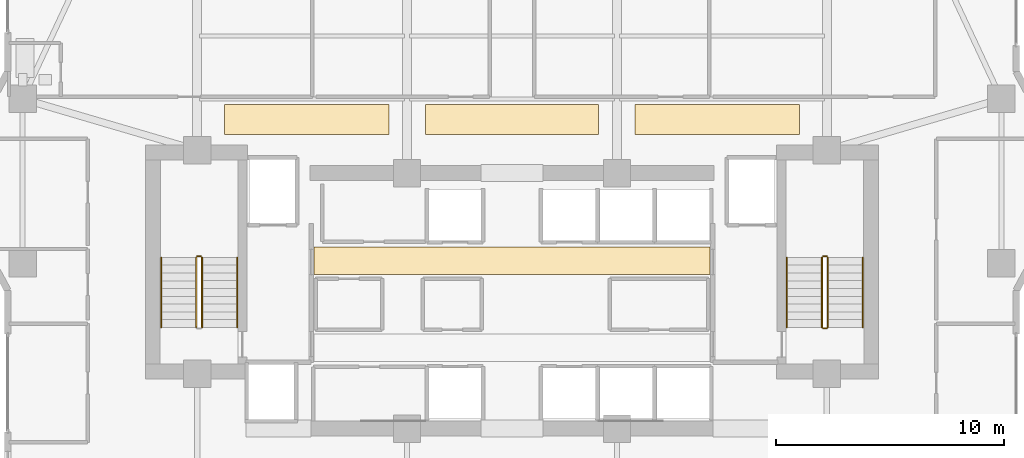
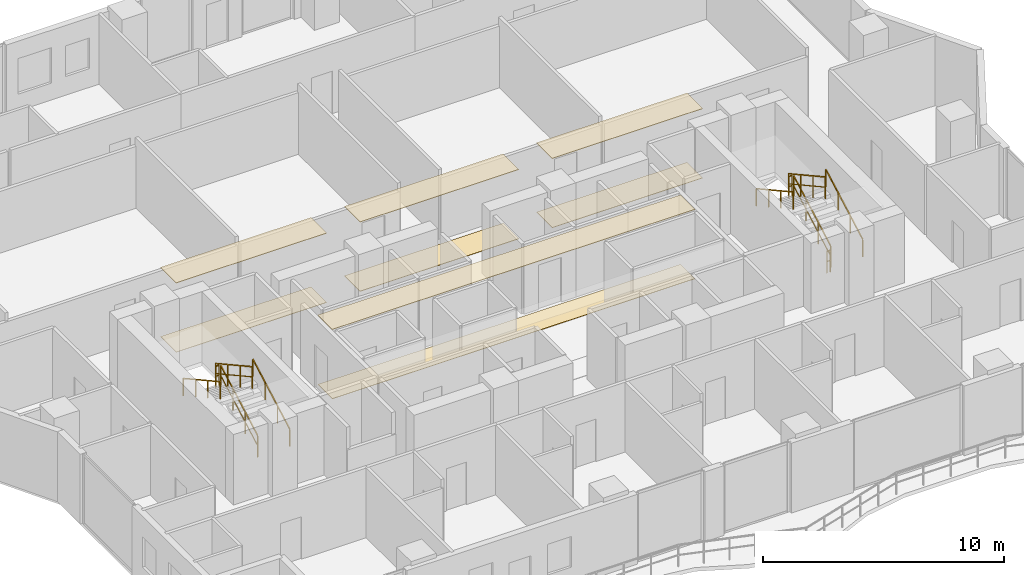
# One storey, part 30 of 32: 11 railings, 8 coverings.
"""IFC4 building model written with IfcOpenShell, lengths in metres."""

from ifc_helpers import new_model, si_unit, direction, frame, origin, origin_2d, place, context, subcontext, project, spatial, polyline, rectangle, outline, extrude, material, layer, layer_set, type_object, element, save


model = new_model("IFC4")

# Units and contexts
model_context = context("Model", 3, precision=1e-05, world=origin(), true_north=direction((0.0, 1.0)))
body_context = subcontext(model_context, "Body", "Model", "MODEL_VIEW")
ifc_project = project(units=[si_unit("LENGTHUNIT", "METRE"), si_unit("AREAUNIT", "SQUARE_METRE"), si_unit("VOLUMEUNIT", "CUBIC_METRE"), si_unit("PLANEANGLEUNIT", "RADIAN"), si_unit("MASSUNIT", "GRAM", prefix="KILO")], contexts=[model_context])

# Site, building, storey
site_placement = place(None, origin())
site = spatial("IfcSite", under=ifc_project, at=site_placement, CompositionType="ELEMENT")
building_placement = place(site_placement, origin())
building = spatial("IfcBuilding", under=site, at=building_placement, Name="Zuhayl Quay Hotel", CompositionType="ELEMENT")
storey_placement = place(building_placement, frame((0.0, 0.0, 196.14990234375)))
storey = spatial("IfcBuildingStorey", under=building, at=storey_placement, Name="L49", CompositionType="ELEMENT", Elevation=196.14990234375)

# Coverings
ifc_material_1 = material(Name="Acoustic Mineral-Fibre Gypsum Board")
ifc_layer_1 = layer(ifc_material_1, 0.02490234375, Name="Acoustic Mineral-Fibre Gypsum Board")
ifc_layer_set_1 = layer_set([ifc_layer_1], Name="Acoustic Mineral-Fibre Gypsum Board")
covering_type_1 = type_object("IfcCoveringType", Name="CV_CEIL_ACOUSTIC", PredefinedType="CEILING", material=ifc_layer_set_1)
covering_1_placement = place(storey_placement, frame((0.0, 0.0, 3.505126953125)))
element("IfcCovering", 1, at=covering_1_placement, inside=storey, type_object=covering_type_1, Name="L49 Suspended Acoustic Lobby Ceiling N", PredefinedType="CEILING", context=body_context, shape_type="SweptSolid", body=[
    extrude(outline(polyline([(-8.679931640625, 8.89990234375), (8.679931640625, 8.89990234375), (8.679931640625, 10.10009765625), (-8.679931640625, 10.10009765625), (-8.679931640625, 8.89990234375)])), origin(), (0.0, 0.0, 1.0), 0.02490234375),
])
covering_2_placement = place(storey_placement, frame((0.0, 0.0, 3.505126953125)))
element("IfcCovering", 2, at=covering_2_placement, inside=storey, type_object=covering_type_1, Name="L49 Guest Corridor Acoustic Ceiling CW", PredefinedType="CEILING", context=body_context, shape_type="SweptSolid", body=[
    extrude(outline(polyline([(-12.60009765625, 15.050048828125), (-5.39990234375, 15.050048828125), (-5.39990234375, 16.35009765625), (-12.60009765625, 16.35009765625), (-12.60009765625, 15.050048828125)])), origin(), (0.0, 0.0, 1.0), 0.02490234375),
])
covering_3_placement = place(storey_placement, frame((0.0, 0.0, 3.505126953125)))
element("IfcCovering", 3, at=covering_3_placement, inside=storey, type_object=covering_type_1, Name="L49 Guest Corridor Acoustic Ceiling CC", PredefinedType="CEILING", context=body_context, shape_type="SweptSolid", body=[
    extrude(outline(polyline([(-3.800048828125, 15.050048828125), (3.800048828125, 15.050048828125), (3.800048828125, 16.35009765625), (-3.800048828125, 16.35009765625), (-3.800048828125, 15.050048828125)])), origin(), (0.0, 0.0, 1.0), 0.02490234375),
])
covering_4_placement = place(storey_placement, frame((0.0, 0.0, 3.505126953125)))
element("IfcCovering", 4, at=covering_4_placement, inside=storey, type_object=covering_type_1, Name="L49 Guest Corridor Acoustic Ceiling CE", PredefinedType="CEILING", context=body_context, shape_type="SweptSolid", body=[
    extrude(outline(polyline([(5.39990234375, 15.050048828125), (12.60009765625, 15.050048828125), (12.60009765625, 16.35009765625), (5.39990234375, 16.35009765625), (5.39990234375, 15.050048828125)])), origin(), (0.0, 0.0, 1.0), 0.02490234375),
])
ifc_material_2 = material(Name="Polished Limestone Terrazzo", Category="masonry")
ifc_layer_2 = layer(ifc_material_2, 0.02001953125, Name="Polished Limestone Terrazzo", Category="masonry")
ifc_layer_set_2 = layer_set([ifc_layer_2], Name="Polished Limestone Terrazzo")
covering_type_2 = type_object("IfcCoveringType", Name="CV_FLOOR_TERRAZZO", PredefinedType="FLOORING", material=ifc_layer_set_2)
covering_5_placement = place(storey_placement, origin())
element("IfcCovering", 5, at=covering_5_placement, inside=storey, type_object=covering_type_2, Name="L49 Honed Limestone Terrazzo Lobby Flooring N", PredefinedType="FLOORING", context=body_context, shape_type="SweptSolid", body=[
    extrude(outline(polyline([(-8.679931640625, 8.89990234375), (8.679931640625, 8.89990234375), (8.679931640625, 10.10009765625), (-8.679931640625, 10.10009765625), (-8.679931640625, 8.89990234375)])), origin(), (0.0, 0.0, 1.0), 0.02001953125),
])
covering_6_placement = place(storey_placement, origin())
element("IfcCovering", 6, at=covering_6_placement, inside=storey, type_object=covering_type_2, Name="L49 Guest Corridor Terrazzo Runner CW", PredefinedType="FLOORING", context=body_context, shape_type="SweptSolid", body=[
    extrude(outline(polyline([(-12.60009765625, 15.050048828125), (-5.39990234375, 15.050048828125), (-5.39990234375, 16.35009765625), (-12.60009765625, 16.35009765625), (-12.60009765625, 15.050048828125)])), origin(), (0.0, 0.0, 1.0), 0.02001953125),
])
covering_7_placement = place(storey_placement, origin())
element("IfcCovering", 7, at=covering_7_placement, inside=storey, type_object=covering_type_2, Name="L49 Guest Corridor Terrazzo Runner CC", PredefinedType="FLOORING", context=body_context, shape_type="SweptSolid", body=[
    extrude(outline(polyline([(-3.800048828125, 15.050048828125), (3.800048828125, 15.050048828125), (3.800048828125, 16.35009765625), (-3.800048828125, 16.35009765625), (-3.800048828125, 15.050048828125)])), origin(), (0.0, 0.0, 1.0), 0.02001953125),
])
covering_8_placement = place(storey_placement, origin())
element("IfcCovering", 8, at=covering_8_placement, inside=storey, type_object=covering_type_2, Name="L49 Guest Corridor Terrazzo Runner CE", PredefinedType="FLOORING", context=body_context, shape_type="SweptSolid", body=[
    extrude(outline(polyline([(5.39990234375, 15.050048828125), (12.60009765625, 15.050048828125), (12.60009765625, 16.35009765625), (5.39990234375, 16.35009765625), (5.39990234375, 15.050048828125)])), origin(), (0.0, 0.0, 1.0), 0.02001953125),
])

# Railings
ifc_material_3 = material(Name="Steel ASTM A992 Grade 50", Category="steel")
railing_type_1 = type_object("IfcRailingType", Name="RL_GUARD_1100", PredefinedType="GUARDRAIL", material=ifc_material_3)
railing_1_placement = place(storey_placement, frame((-13.590087890625, 6.590087890625, 0.1875)))
element("IfcRailing", 9, at=railing_1_placement, inside=storey, type_object=railing_type_1, Name="L49 ST1 stair guard 1", PredefinedType="GUARDRAIL", context=body_context, shape_type="SweptSolid", body=[
    extrude(rectangle(XDim=0.048095703125, YDim=0.048095703125, at=origin_2d()), frame((0.0, 0.0, 1.09619140625), z_axis=(0.0, 0.875659195171, 0.482929574485), x_axis=(-1.0, 0.0, 0.0)), (0.0, 0.0, 1.0), 3.494384765625),
    extrude(rectangle(XDim=0.0361328125, YDim=0.0361328125, at=origin_2d()), frame((0.0, 0.0, 0.58251953125), z_axis=(0.0, 0.875659195171, 0.482929574485), x_axis=(-1.0, 0.0, 0.0)), (0.0, 0.0, 1.0), 3.494384765625),
    extrude(rectangle(XDim=0.0419921875, YDim=0.0419921875, at=origin_2d()), origin(), (0.0, 0.0, 1.0), 1.072021484375),
    extrude(rectangle(XDim=0.0419921875, YDim=0.0419921875, at=origin_2d()), frame((0.0, 1.02001953125, 0.5625)), (0.0, 0.0, 1.0), 1.072021484375),
    extrude(rectangle(XDim=0.0419921875, YDim=0.0419921875, at=origin_2d()), frame((0.0, 2.039794921875, 1.125)), (0.0, 0.0, 1.0), 1.072021484375),
    extrude(rectangle(XDim=0.0419921875, YDim=0.0419921875, at=origin_2d()), frame((0.0, 3.059814453125, 1.6875)), (0.0, 0.0, 1.0), 1.072021484375),
])
railing_2_placement = place(storey_placement, frame((-13.639892578125, 9.699951171875, 1.875)))
element("IfcRailing", 10, at=railing_2_placement, inside=storey, type_object=railing_type_1, Name="L49 ST1 stair guard 2", PredefinedType="GUARDRAIL", context=body_context, shape_type="SweptSolid", body=[
    extrude(rectangle(XDim=0.048095703125, YDim=0.048095703125, at=origin_2d()), frame((0.0, 0.0, 1.09619140625), z_axis=(-1.0, 0.0, 0.0), x_axis=(0.0, -1.0, 0.0)), (0.0, 0.0, 1.0), 0.150146484375),
    extrude(rectangle(XDim=0.0361328125, YDim=0.0361328125, at=origin_2d()), frame((0.0, 0.0, 0.58251953125), z_axis=(-1.0, 0.0, 0.0), x_axis=(0.0, -1.0, 0.0)), (0.0, 0.0, 1.0), 0.150146484375),
    extrude(rectangle(XDim=0.0419921875, YDim=0.0419921875, at=origin_2d()), origin(), (0.0, 0.0, 1.0), 1.072021484375),
    extrude(rectangle(XDim=0.0419921875, YDim=0.0419921875, at=origin_2d()), frame((-0.150146484375, 0.0, 0.0)), (0.0, 0.0, 1.0), 1.072021484375),
])
railing_3_placement = place(storey_placement, frame((-13.840087890625, 9.64990234375, 2.0625)))
element("IfcRailing", 11, at=railing_3_placement, inside=storey, type_object=railing_type_1, Name="L49 ST1 stair guard 3", PredefinedType="GUARDRAIL", context=body_context, shape_type="SweptSolid", body=[
    extrude(rectangle(XDim=0.048095703125, YDim=0.048095703125, at=origin_2d()), frame((0.0, 0.0, 1.09619140625), z_axis=(0.0, -0.875659195171, 0.482929574485), x_axis=(1.0, 0.0, 0.0)), (0.0, 0.0, 1.0), 3.494384765625),
    extrude(rectangle(XDim=0.0361328125, YDim=0.0361328125, at=origin_2d()), frame((0.0, 0.0, 0.58251953125), z_axis=(0.0, -0.875659195171, 0.482929574485), x_axis=(1.0, 0.0, 0.0)), (0.0, 0.0, 1.0), 3.494384765625),
    extrude(rectangle(XDim=0.0419921875, YDim=0.0419921875, at=origin_2d()), origin(), (0.0, 0.0, 1.0), 1.072021484375),
    extrude(rectangle(XDim=0.0419921875, YDim=0.0419921875, at=origin_2d()), frame((0.0, -1.02001953125, 0.5625)), (0.0, 0.0, 1.0), 1.072021484375),
    extrude(rectangle(XDim=0.0419921875, YDim=0.0419921875, at=origin_2d()), frame((0.0, -2.039794921875, 1.125)), (0.0, 0.0, 1.0), 1.072021484375),
    extrude(rectangle(XDim=0.0419921875, YDim=0.0419921875, at=origin_2d()), frame((0.0, -3.059814453125, 1.6875)), (0.0, 0.0, 1.0), 1.072021484375),
])
railing_4_placement = place(storey_placement, frame((13.840087890625, 6.590087890625, 0.1875)))
element("IfcRailing", 12, at=railing_4_placement, inside=storey, type_object=railing_type_1, Name="L49 ST2 stair guard 1", PredefinedType="GUARDRAIL", context=body_context, shape_type="SweptSolid", body=[
    extrude(rectangle(XDim=0.048095703125, YDim=0.048095703125, at=origin_2d()), frame((0.0, 0.0, 1.09619140625), z_axis=(0.0, 0.875659195171, 0.482929574485), x_axis=(-1.0, 0.0, 0.0)), (0.0, 0.0, 1.0), 3.494384765625),
    extrude(rectangle(XDim=0.0361328125, YDim=0.0361328125, at=origin_2d()), frame((0.0, 0.0, 0.58251953125), z_axis=(0.0, 0.875659195171, 0.482929574485), x_axis=(-1.0, 0.0, 0.0)), (0.0, 0.0, 1.0), 3.494384765625),
    extrude(rectangle(XDim=0.0419921875, YDim=0.0419921875, at=origin_2d()), origin(), (0.0, 0.0, 1.0), 1.072021484375),
    extrude(rectangle(XDim=0.0419921875, YDim=0.0419921875, at=origin_2d()), frame((0.0, 1.02001953125, 0.5625)), (0.0, 0.0, 1.0), 1.072021484375),
    extrude(rectangle(XDim=0.0419921875, YDim=0.0419921875, at=origin_2d()), frame((0.0, 2.039794921875, 1.125)), (0.0, 0.0, 1.0), 1.072021484375),
    extrude(rectangle(XDim=0.0419921875, YDim=0.0419921875, at=origin_2d()), frame((0.0, 3.059814453125, 1.6875)), (0.0, 0.0, 1.0), 1.072021484375),
])
railing_5_placement = place(storey_placement, frame((13.7900390625, 9.699951171875, 1.875)))
element("IfcRailing", 13, at=railing_5_placement, inside=storey, type_object=railing_type_1, Name="L49 ST2 stair guard 2", PredefinedType="GUARDRAIL", context=body_context, shape_type="SweptSolid", body=[
    extrude(rectangle(XDim=0.048095703125, YDim=0.048095703125, at=origin_2d()), frame((0.0, 0.0, 1.09619140625), z_axis=(-1.0, 0.0, 0.0), x_axis=(0.0, -1.0, 0.0)), (0.0, 0.0, 1.0), 0.150146484375),
    extrude(rectangle(XDim=0.0361328125, YDim=0.0361328125, at=origin_2d()), frame((0.0, 0.0, 0.58251953125), z_axis=(-1.0, 0.0, 0.0), x_axis=(0.0, -1.0, 0.0)), (0.0, 0.0, 1.0), 0.150146484375),
    extrude(rectangle(XDim=0.0419921875, YDim=0.0419921875, at=origin_2d()), origin(), (0.0, 0.0, 1.0), 1.072021484375),
    extrude(rectangle(XDim=0.0419921875, YDim=0.0419921875, at=origin_2d()), frame((-0.150146484375, 0.0, 0.0)), (0.0, 0.0, 1.0), 1.072021484375),
])
railing_6_placement = place(storey_placement, frame((13.590087890625, 9.64990234375, 2.0625)))
element("IfcRailing", 14, at=railing_6_placement, inside=storey, type_object=railing_type_1, Name="L49 ST2 stair guard 3", PredefinedType="GUARDRAIL", context=body_context, shape_type="SweptSolid", body=[
    extrude(rectangle(XDim=0.048095703125, YDim=0.048095703125, at=origin_2d()), frame((0.0, 0.0, 1.09619140625), z_axis=(0.0, -0.875659195171, 0.482929574485), x_axis=(1.0, 0.0, 0.0)), (0.0, 0.0, 1.0), 3.494384765625),
    extrude(rectangle(XDim=0.0361328125, YDim=0.0361328125, at=origin_2d()), frame((0.0, 0.0, 0.58251953125), z_axis=(0.0, -0.875659195171, 0.482929574485), x_axis=(1.0, 0.0, 0.0)), (0.0, 0.0, 1.0), 3.494384765625),
    extrude(rectangle(XDim=0.0419921875, YDim=0.0419921875, at=origin_2d()), origin(), (0.0, 0.0, 1.0), 1.072021484375),
    extrude(rectangle(XDim=0.0419921875, YDim=0.0419921875, at=origin_2d()), frame((0.0, -1.02001953125, 0.5625)), (0.0, 0.0, 1.0), 1.072021484375),
    extrude(rectangle(XDim=0.0419921875, YDim=0.0419921875, at=origin_2d()), frame((0.0, -2.039794921875, 1.125)), (0.0, 0.0, 1.0), 1.072021484375),
    extrude(rectangle(XDim=0.0419921875, YDim=0.0419921875, at=origin_2d()), frame((0.0, -3.059814453125, 1.6875)), (0.0, 0.0, 1.0), 1.072021484375),
])
railing_7_placement = place(storey_placement, frame((13.7900390625, 6.5400390625, 0.0)))
element("IfcRailing", 15, at=railing_7_placement, inside=storey, type_object=railing_type_1, Name="L49 ST2 stair guard 4", PredefinedType="GUARDRAIL", context=body_context, shape_type="SweptSolid", body=[
    extrude(rectangle(XDim=0.048095703125, YDim=0.048095703125, at=origin_2d()), frame((0.0, 0.0, 1.09619140625), z_axis=(-1.0, 0.0, 0.0), x_axis=(0.0, -1.0, 0.0)), (0.0, 0.0, 1.0), 0.150146484375),
    extrude(rectangle(XDim=0.0361328125, YDim=0.0361328125, at=origin_2d()), frame((0.0, 0.0, 0.58251953125), z_axis=(-1.0, 0.0, 0.0), x_axis=(0.0, -1.0, 0.0)), (0.0, 0.0, 1.0), 0.150146484375),
    extrude(rectangle(XDim=0.0419921875, YDim=0.0419921875, at=origin_2d()), origin(), (0.0, 0.0, 1.0), 1.072021484375),
    extrude(rectangle(XDim=0.0419921875, YDim=0.0419921875, at=origin_2d()), frame((-0.150146484375, 0.0, 0.0)), (0.0, 0.0, 1.0), 1.072021484375),
])
railing_type_2 = type_object("IfcRailingType", Name="RL_HANDRAIL_920", PredefinedType="HANDRAIL", material=ifc_material_3)
railing_8_placement = place(storey_placement, frame((-12.050048828125, 6.590087890625, 0.1875)))
element("IfcRailing", 16, at=railing_8_placement, inside=storey, type_object=railing_type_2, Name="L49 ST1 stair handrail 1", PredefinedType="HANDRAIL", context=body_context, shape_type="SweptSolid", body=[
    extrude(rectangle(XDim=0.048095703125, YDim=0.048095703125, at=origin_2d()), frame((0.0, 0.0, 0.8759765625), z_axis=(0.0, 0.875659195171, 0.482929574485), x_axis=(-1.0, 0.0, 0.0)), (0.0, 0.0, 1.0), 3.494384765625),
    extrude(rectangle(XDim=0.0419921875, YDim=0.0419921875, at=origin_2d()), origin(), (0.0, 0.0, 1.0), 0.851806640625),
    extrude(rectangle(XDim=0.0419921875, YDim=0.0419921875, at=origin_2d()), frame((0.0, 1.02001953125, 0.5625)), (0.0, 0.0, 1.0), 0.851806640625),
    extrude(rectangle(XDim=0.0419921875, YDim=0.0419921875, at=origin_2d()), frame((0.0, 2.039794921875, 1.125)), (0.0, 0.0, 1.0), 0.851806640625),
    extrude(rectangle(XDim=0.0419921875, YDim=0.0419921875, at=origin_2d()), frame((0.0, 3.059814453125, 1.6875)), (0.0, 0.0, 1.0), 0.851806640625),
])
railing_9_placement = place(storey_placement, frame((-15.3798828125, 9.64990234375, 2.0625)))
element("IfcRailing", 17, at=railing_9_placement, inside=storey, type_object=railing_type_2, Name="L49 ST1 stair handrail 2", PredefinedType="HANDRAIL", context=body_context, shape_type="SweptSolid", body=[
    extrude(rectangle(XDim=0.048095703125, YDim=0.048095703125, at=origin_2d()), frame((0.0, 0.0, 0.8759765625), z_axis=(0.0, -0.875659195171, 0.482929574485), x_axis=(1.0, 0.0, 0.0)), (0.0, 0.0, 1.0), 3.494384765625),
    extrude(rectangle(XDim=0.0419921875, YDim=0.0419921875, at=origin_2d()), origin(), (0.0, 0.0, 1.0), 0.851806640625),
    extrude(rectangle(XDim=0.0419921875, YDim=0.0419921875, at=origin_2d()), frame((0.0, -1.02001953125, 0.5625)), (0.0, 0.0, 1.0), 0.851806640625),
    extrude(rectangle(XDim=0.0419921875, YDim=0.0419921875, at=origin_2d()), frame((0.0, -2.039794921875, 1.125)), (0.0, 0.0, 1.0), 0.851806640625),
    extrude(rectangle(XDim=0.0419921875, YDim=0.0419921875, at=origin_2d()), frame((0.0, -3.059814453125, 1.6875)), (0.0, 0.0, 1.0), 0.851806640625),
])
railing_10_placement = place(storey_placement, frame((15.3798828125, 6.590087890625, 0.1875)))
element("IfcRailing", 18, at=railing_10_placement, inside=storey, type_object=railing_type_2, Name="L49 ST2 stair handrail 1", PredefinedType="HANDRAIL", context=body_context, shape_type="SweptSolid", body=[
    extrude(rectangle(XDim=0.048095703125, YDim=0.048095703125, at=origin_2d()), frame((0.0, 0.0, 0.8759765625), z_axis=(0.0, 0.875659195171, 0.482929574485), x_axis=(-1.0, 0.0, 0.0)), (0.0, 0.0, 1.0), 3.494384765625),
    extrude(rectangle(XDim=0.0419921875, YDim=0.0419921875, at=origin_2d()), origin(), (0.0, 0.0, 1.0), 0.851806640625),
    extrude(rectangle(XDim=0.0419921875, YDim=0.0419921875, at=origin_2d()), frame((0.0, 1.02001953125, 0.5625)), (0.0, 0.0, 1.0), 0.851806640625),
    extrude(rectangle(XDim=0.0419921875, YDim=0.0419921875, at=origin_2d()), frame((0.0, 2.039794921875, 1.125)), (0.0, 0.0, 1.0), 0.851806640625),
    extrude(rectangle(XDim=0.0419921875, YDim=0.0419921875, at=origin_2d()), frame((0.0, 3.059814453125, 1.6875)), (0.0, 0.0, 1.0), 0.851806640625),
])
railing_11_placement = place(storey_placement, frame((12.050048828125, 9.64990234375, 2.0625)))
element("IfcRailing", 19, at=railing_11_placement, inside=storey, type_object=railing_type_2, Name="L49 ST2 stair handrail 2", PredefinedType="HANDRAIL", context=body_context, shape_type="SweptSolid", body=[
    extrude(rectangle(XDim=0.048095703125, YDim=0.048095703125, at=origin_2d()), frame((0.0, 0.0, 0.8759765625), z_axis=(0.0, -0.875659195171, 0.482929574485), x_axis=(1.0, 0.0, 0.0)), (0.0, 0.0, 1.0), 3.494384765625),
    extrude(rectangle(XDim=0.0419921875, YDim=0.0419921875, at=origin_2d()), origin(), (0.0, 0.0, 1.0), 0.851806640625),
    extrude(rectangle(XDim=0.0419921875, YDim=0.0419921875, at=origin_2d()), frame((0.0, -1.02001953125, 0.5625)), (0.0, 0.0, 1.0), 0.851806640625),
    extrude(rectangle(XDim=0.0419921875, YDim=0.0419921875, at=origin_2d()), frame((0.0, -2.039794921875, 1.125)), (0.0, 0.0, 1.0), 0.851806640625),
    extrude(rectangle(XDim=0.0419921875, YDim=0.0419921875, at=origin_2d()), frame((0.0, -3.059814453125, 1.6875)), (0.0, 0.0, 1.0), 0.851806640625),
])

save(model, "model.ifc")
